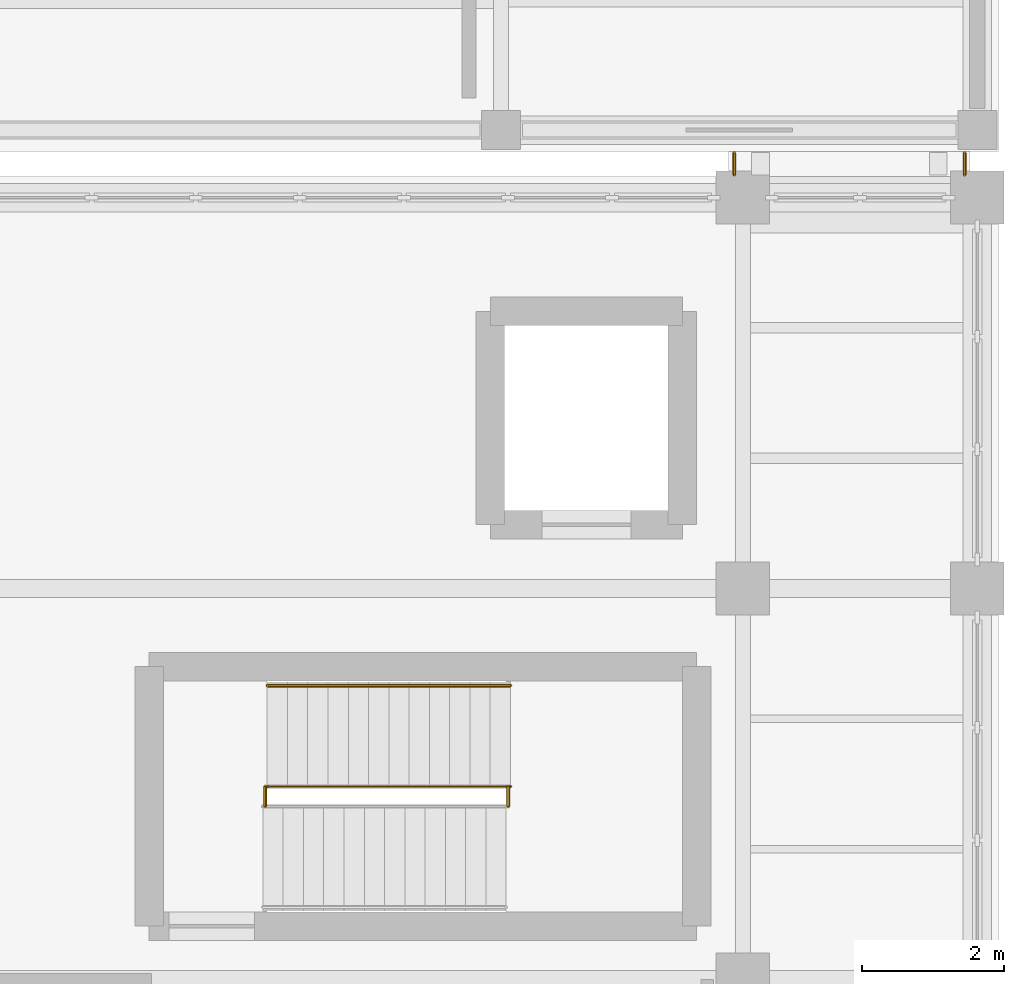
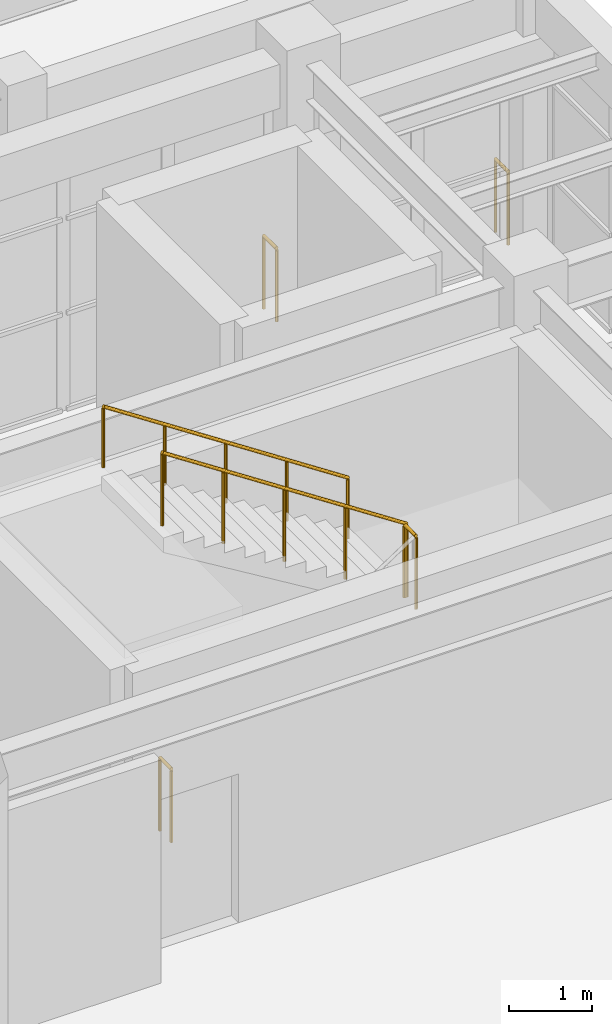
# One storey, part 82 of 85: 6 railings.
"""IFC4 building model written with IfcOpenShell, lengths in metres."""

import ifcopenshell
import ifcopenshell.guid

model = None  # the IFC model being written
_history = None  # IfcOwnerHistory: only IFC2X3 demands one
_inside = {}  # id of a spatial element -> (the spatial element, [elements in it])
_under = {}  # id of a project, library or spatial element -> (it, [spatial elements below it])
_declared = {}  # id of a project -> (the project, [libraries it declares])
_typed = {}  # id of a type object -> (the type object, [elements of that type])
_made_of = {}  # id of a material, layer set ... -> (it, [elements and type objects made of it])


def new_model(schema):
    """Start an empty IFC model of exactly this schema.

    Asked for "IFC4X3", IfcOpenShell would pick the latest addendum, in which some entities
    have other attributes; the version numbers below select the first issue.
    IFC2X3 requires an IfcOwnerHistory on every rooted entity: one is made here for all.
    """
    global model, _history
    if schema == "IFC4X3":
        model = ifcopenshell.file(schema_version=(4, 3, 0, 0))
    else:
        model = ifcopenshell.file(schema=schema)
    _inside.clear()
    _under.clear()
    _declared.clear()
    _typed.clear()
    _made_of.clear()
    _history = None
    if model.schema == "IFC2X3":
        org = make("IfcOrganization", Name="unknown")
        user = make(
            "IfcPersonAndOrganization",
            ThePerson=make("IfcPerson", FamilyName="unknown"),
            TheOrganization=org,
        )
        app = make(
            "IfcApplication",
            ApplicationDeveloper=org,
            Version="unknown",
            ApplicationFullName="unknown",
            ApplicationIdentifier="unknown",
        )
        _history = make(
            "IfcOwnerHistory",
            OwningUser=user,
            OwningApplication=app,
            ChangeAction="ADDED",
            CreationDate=0,
        )
    return model


def make(cls, **values):
    """One entity of the class cls with the attributes given. An attribute that is None is left unset."""
    return model.create_entity(
        cls, **{name: value for name, value in values.items() if value is not None}
    )


def rooted(cls, **values):
    """An entity with a GlobalId (a new one), such as an element, a storey or a relation."""
    return make(cls, GlobalId=ifcopenshell.guid.new(), OwnerHistory=_history, **values)


def si_unit(unit_type, name, prefix=None):
    """IfcSIUnit, for example si_unit("LENGTHUNIT", "METRE", prefix="MILLI")."""
    return make("IfcSIUnit", UnitType=unit_type, Prefix=prefix, Name=name)


def assignment(units):
    """IfcUnitAssignment: the units of a project."""
    return None if units is None else make("IfcUnitAssignment", Units=units)


def point(xyz):
    """IfcCartesianPoint."""
    return None if xyz is None else make("IfcCartesianPoint", Coordinates=xyz)


def direction(xyz):
    """IfcDirection."""
    return None if xyz is None else make("IfcDirection", DirectionRatios=xyz)


def frame(location, z_axis=None, x_axis=None):
    """IfcAxis2Placement3D, a coordinate frame: its origin and axes. An axis left out is left unset."""
    return make(
        "IfcAxis2Placement3D",
        Location=point(location),
        Axis=direction(z_axis),
        RefDirection=direction(x_axis),
    )


def frame_2d(location, x_axis=None):
    """IfcAxis2Placement2D, a coordinate frame in the plane: its origin and x axis."""
    return make(
        "IfcAxis2Placement2D", Location=point(location), RefDirection=direction(x_axis)
    )


def origin():
    """The frame at (0, 0, 0) with its axes left unset."""
    return frame((0.0, 0.0, 0.0))


def origin_2d():
    """The frame at (0, 0) in the plane with its x axis left unset."""
    return frame_2d((0.0, 0.0))


def place(relative_to, where):
    """IfcLocalPlacement: puts the frame where relative to a parent placement (None: the world)."""
    return make(
        "IfcLocalPlacement", PlacementRelTo=relative_to, RelativePlacement=where
    )


def context(
    kind, dimensions, precision=None, world=None, true_north=None, identifier=None
):
    """IfcGeometricRepresentationContext, for example the 3D "Model" context."""
    return make(
        "IfcGeometricRepresentationContext",
        ContextIdentifier=identifier,
        ContextType=kind,
        CoordinateSpaceDimension=dimensions,
        Precision=precision,
        WorldCoordinateSystem=world,
        TrueNorth=true_north,
    )


def subcontext(parent, identifier, kind, view, scale=None):
    """IfcGeometricRepresentationSubContext, for example "Body" below "Model"."""
    return make(
        "IfcGeometricRepresentationSubContext",
        ContextIdentifier=identifier,
        ContextType=kind,
        ParentContext=parent,
        TargetScale=scale,
        TargetView=view,
    )


def project(units=None, contexts=None):
    """IfcProject with its units and contexts."""
    return rooted(
        "IfcProject",
        Name="project",
        RepresentationContexts=contexts,
        UnitsInContext=assignment(units),
    )


def spatial(cls, under=None, at=None, **own):
    """A site, building, storey or space (cls), placed at a placement, below another one or the project."""
    s = rooted(cls, ObjectPlacement=at, **own)
    if under is not None:
        _under.setdefault(under.id(), (under, []))[1].append(s)
    return s


def profile(cls, at=None, kind="AREA", **sizes):
    """A parametric profile (cls). Its sizes go by their IFC names, for example OverallWidth=200.0."""
    return make(cls, ProfileType=kind, Position=at, **sizes)


def circle(**sizes):
    """IfcCircleProfileDef."""
    return profile("IfcCircleProfileDef", **sizes)


def extrude(swept, where, along, depth):
    """IfcExtrudedAreaSolid: the profile swept, set in the frame where, extruded along a direction by depth."""
    return make(
        "IfcExtrudedAreaSolid",
        SweptArea=swept,
        Position=where,
        ExtrudedDirection=direction(along),
        Depth=depth,
    )


def shape(context_of_items, identifier, shape_type, items):
    """IfcShapeRepresentation: the items that make up one representation, for example the "Body"."""
    return make(
        "IfcShapeRepresentation",
        ContextOfItems=context_of_items,
        RepresentationIdentifier=identifier,
        RepresentationType=shape_type,
        Items=items,
    )


def material(Name=None, Category=None):
    """IfcMaterial."""
    return make("IfcMaterial", Name=Name, Category=Category)


def made_of(thing, what):
    """Note that an element or type object is made of a material, layer set ...; save() writes the relation."""
    if what is not None:
        _made_of.setdefault(what.id(), (what, []))[1].append(thing)
    return thing


def type_object(cls, material=None, **own):
    """A type object (cls), such as IfcWallType, which elements share."""
    return made_of(rooted(cls, **own), material)


def element(
    cls,
    number,
    at=None,
    inside=None,
    cuts=None,
    type_object=None,
    material=None,
    context=None,
    identifier="Body",
    shape_type=None,
    held_by="IfcProductDefinitionShape",
    body=None,
    shapes=None,
    **own,
):
    """One element of the class cls, such as IfcWall. Its Tag is "e" and its number.

    at: its placement. inside: the storey or other place that contains it. cuts: it is an
    opening in that element (IfcRelVoidsElement). A single representation is given by context,
    identifier, shape_type and body (its items); several are given by shapes. held_by: the class
    of the entity that holds the representations. save() writes the other relations.
    """
    e = rooted(cls, Tag="e%d" % number, ObjectPlacement=at, **own)
    if body is not None:
        shapes = [shape(context, identifier, shape_type, body)]
    if shapes is not None:
        e.Representation = make(held_by, Representations=shapes)
    if inside is not None:
        _inside.setdefault(inside.id(), (inside, []))[1].append(e)
    if cuts is not None:
        rooted(
            "IfcRelVoidsElement", RelatingBuildingElement=cuts, RelatedOpeningElement=e
        )
    if type_object is not None:
        _typed.setdefault(type_object.id(), (type_object, []))[1].append(e)
    return made_of(e, material)


def aggregate(whole, parts):
    """IfcRelAggregates: a whole, such as a stair, and the parts it consists of."""
    return rooted("IfcRelAggregates", RelatingObject=whole, RelatedObjects=parts)


def save(model, path):
    """Write the relations noted so far, then the file.

    IfcRelAggregates (storeys below a building ...), IfcRelContainedInSpatialStructure (elements
    in a storey), IfcRelDefinesByType, IfcRelAssociatesMaterial and IfcRelDeclares: one each for
    every whole, place, type object, material and project.
    """
    for whole, parts in _under.values():
        aggregate(whole, parts)
    for where, things in _inside.values():
        rooted(
            "IfcRelContainedInSpatialStructure",
            RelatedElements=things,
            RelatingStructure=where,
        )
    for kind, things in _typed.values():
        rooted("IfcRelDefinesByType", RelatedObjects=things, RelatingType=kind)
    for what, things in _made_of.values():
        rooted("IfcRelAssociatesMaterial", RelatedObjects=things, RelatingMaterial=what)
    for by, libraries in _declared.values():
        rooted("IfcRelDeclares", RelatingContext=by, RelatedDefinitions=libraries)
    model.write(path)


model = new_model("IFC4")

# Units and contexts
model_context = context("Model", 3, precision=1e-05, world=origin(), true_north=direction((0.0, 1.0)))
body_context = subcontext(model_context, "Body", "Model", "MODEL_VIEW")
ifc_project = project(units=[si_unit("LENGTHUNIT", "METRE"), si_unit("AREAUNIT", "SQUARE_METRE"), si_unit("VOLUMEUNIT", "CUBIC_METRE"), si_unit("PLANEANGLEUNIT", "RADIAN"), si_unit("MASSUNIT", "GRAM", prefix="KILO")], contexts=[model_context])

# Site, building, storey
site_placement = place(None, origin())
site = spatial("IfcSite", under=ifc_project, at=site_placement, CompositionType="ELEMENT")
building_placement = place(site_placement, origin())
building = spatial("IfcBuilding", under=site, at=building_placement, Name="Candilejo Ridge Gondola Terminal", CompositionType="ELEMENT")
storey_placement = place(building_placement, frame((0.0, 0.0, 4.5)))
storey = spatial("IfcBuildingStorey", under=building, at=storey_placement, Name="L01", CompositionType="ELEMENT", Elevation=4.5)

# Railings
ifc_material_1 = material(Name="Hot-dip galvanised steel ASTM A500 Grade B", Category="steel")
railing_type_1 = type_object("IfcRailingType", Name="ARC-GUARD-GLASS-1150", PredefinedType="GUARDRAIL", material=ifc_material_1)
for number, where, name in (
    (1, (171.8798828125, 48.02001953125, 0.0), "Link bridge guard LB-SJ4-L01-W"),
    (2, (175.1201171875, 48.02001953125, 0.0), "Link bridge guard LB-SJ4-L01-E"),
):
    element("IfcRailing", number, at=place(storey_placement, frame(where)), inside=storey, type_object=railing_type_1, Name=name, PredefinedType="GUARDRAIL", context=body_context, shape_type="SweptSolid", body=[
        extrude(circle(Radius=0.02392578125, at=origin_2d()), frame((0.0, 0.0, 1.076171875), z_axis=(0.0, 1.0, 0.0), x_axis=(-1.0, 0.0, 0.0)), (0.0, 0.0, 1.0), 0.31005859375),
        extrude(circle(Radius=0.02099609375, at=origin_2d()), origin(), (0.0, 0.0, 1.0), 1.052001953125),
        extrude(circle(Radius=0.02099609375, at=origin_2d()), frame((0.0, 0.31005859375, 0.0)), (0.0, 0.0, 1.0), 1.052001953125),
    ])
ifc_material_2 = material(Name="Hot-dip galvanised steel ASTM A500 Grade B", Category="steel")
railing_type_2 = type_object("IfcRailingType", Name="ARC-STAIR-GUARD-1100", PredefinedType="GUARDRAIL", material=ifc_material_2)
for number, where, name in (
    (3, (165.280029296875, 39.135009765625, 0.0), "Arrival well guard ST-V4B-L00-ARR-L01"),
    (4, (168.699951171875, 39.135009765625, 2.25), "Half-landing slot guard ST-V4B-LND-02"),
):
    element("IfcRailing", number, at=place(storey_placement, frame(where)), inside=storey, type_object=railing_type_2, Name=name, PredefinedType="GUARDRAIL", context=body_context, shape_type="SweptSolid", body=[
        extrude(circle(Radius=0.02392578125, at=origin_2d()), frame((0.0, 0.0, 1.076171875), z_axis=(0.0, 1.0, 0.0), x_axis=(-1.0, 0.0, 0.0)), (0.0, 0.0, 1.0), 0.280029296875),
        extrude(circle(Radius=0.02099609375, at=origin_2d()), origin(), (0.0, 0.0, 1.0), 1.052001953125),
        extrude(circle(Radius=0.02099609375, at=origin_2d()), frame((0.0, 0.280029296875, 0.0)), (0.0, 0.0, 1.0), 1.052001953125),
    ])
railing_1_placement = place(storey_placement, frame((168.72998046875, 39.4150390625, 2.25)))
element("IfcRailing", 5, at=railing_1_placement, inside=storey, type_object=railing_type_2, Name="Flight well guard ST-V4B-F04", PredefinedType="GUARDRAIL", context=body_context, shape_type="SweptSolid", body=[
    extrude(circle(Radius=0.02392578125, at=origin_2d()), frame((0.0, 0.0, 1.076171875), z_axis=(-0.835411317272, 0.0, 0.549625264133), x_axis=(0.0, -1.0, 0.0)), (0.0, 0.0, 1.0), 4.09375),
    extrude(circle(Radius=0.02099609375, at=origin_2d()), origin(), (0.0, 0.0, 1.0), 1.052001953125),
    extrude(circle(Radius=0.02099609375, at=origin_2d()), frame((-0.85498046875, 0.0, 0.5625)), (0.0, 0.0, 1.0), 1.052001953125),
    extrude(circle(Radius=0.02099609375, at=origin_2d()), frame((-1.7099609375, 0.0, 1.125)), (0.0, 0.0, 1.0), 1.052001953125),
    extrude(circle(Radius=0.02099609375, at=origin_2d()), frame((-2.56494140625, 0.0, 1.6875)), (0.0, 0.0, 1.0), 1.052001953125),
    extrude(circle(Radius=0.02099609375, at=origin_2d()), frame((-3.419921875, 0.0, 2.25)), (0.0, 0.0, 1.0), 1.052001953125),
])
ifc_material_3 = material(Name="Brushed stainless steel AISI 316", Category="steel")
railing_type_3 = type_object("IfcRailingType", Name="ARC-STAIR-HANDRAIL-920", PredefinedType="HANDRAIL", material=ifc_material_3)
railing_2_placement = place(storey_placement, frame((168.72998046875, 40.8349609375, 2.25)))
element("IfcRailing", 6, at=railing_2_placement, inside=storey, type_object=railing_type_3, Name="Wall handrail ST-V4B-F04", PredefinedType="HANDRAIL", context=body_context, shape_type="SweptSolid", body=[
    extrude(circle(Radius=0.02392578125, at=origin_2d()), frame((0.0, 0.0, 0.89599609375), z_axis=(-0.835411317272, 0.0, 0.549625264133), x_axis=(0.0, -1.0, 0.0)), (0.0, 0.0, 1.0), 4.09375),
    extrude(circle(Radius=0.02099609375, at=origin_2d()), origin(), (0.0, 0.0, 1.0), 0.871826171875),
    extrude(circle(Radius=0.02099609375, at=origin_2d()), frame((-0.85498046875, 0.0, 0.5625)), (0.0, 0.0, 1.0), 0.871826171875),
    extrude(circle(Radius=0.02099609375, at=origin_2d()), frame((-1.7099609375, 0.0, 1.125)), (0.0, 0.0, 1.0), 0.871826171875),
    extrude(circle(Radius=0.02099609375, at=origin_2d()), frame((-2.56494140625, 0.0, 1.6875)), (0.0, 0.0, 1.0), 0.871826171875),
    extrude(circle(Radius=0.02099609375, at=origin_2d()), frame((-3.419921875, 0.0, 2.25)), (0.0, 0.0, 1.0), 0.871826171875),
])

save(model, "model.ifc")
